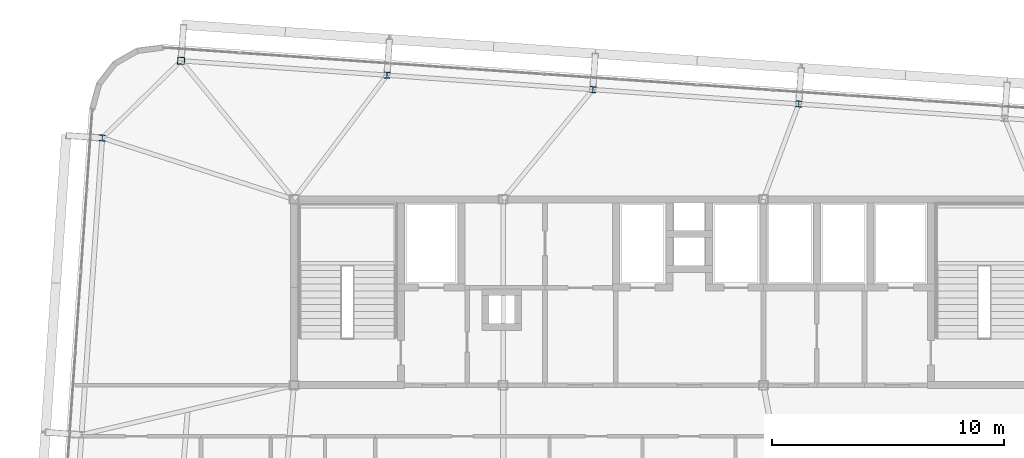
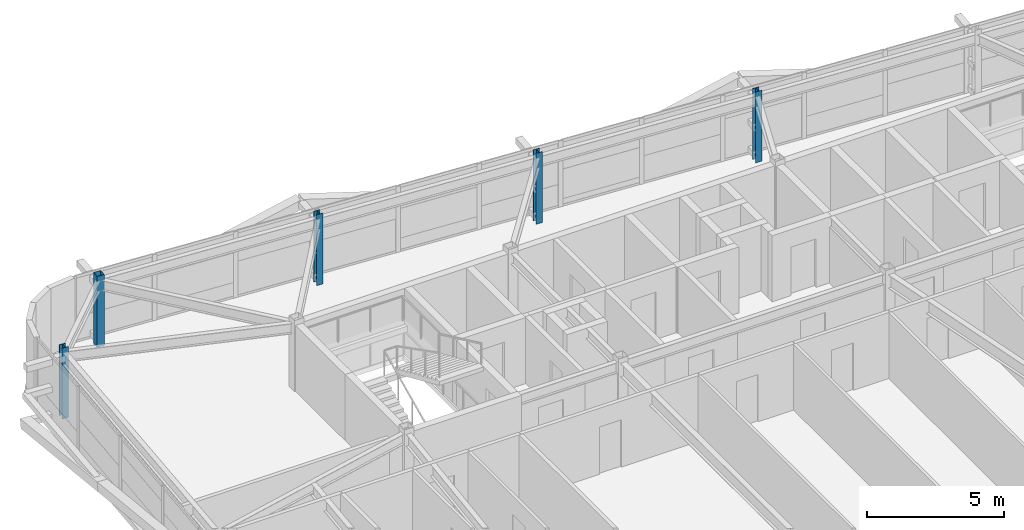
# One storey, part 4 of 47: 5 columns.
"""IFC4 building model written with IfcOpenShell, lengths in metres."""

from ifc_helpers import new_model, si_unit, direction, frame, origin, origin_2d, place, context, subcontext, project, spatial, hollow_rectangle, i_section, extrude, source, transform, mapped, material, material_profile, profile_set, type_object, element, save


model = new_model("IFC4")

# Units and contexts
model_context = context("Model", 3, precision=1e-05, world=origin(), true_north=direction((0.0, 1.0)))
body_context = subcontext(model_context, "Body", "Model", "MODEL_VIEW")
ifc_project = project(units=[si_unit("LENGTHUNIT", "METRE"), si_unit("AREAUNIT", "SQUARE_METRE"), si_unit("VOLUMEUNIT", "CUBIC_METRE"), si_unit("PLANEANGLEUNIT", "RADIAN"), si_unit("MASSUNIT", "GRAM", prefix="KILO")], contexts=[model_context])

# Site, building, storey
site_placement = place(None, origin())
site = spatial("IfcSite", under=ifc_project, at=site_placement, CompositionType="ELEMENT")
building_placement = place(site_placement, origin())
building = spatial("IfcBuilding", under=site, at=building_placement, Name="Taldren Reach Tower", CompositionType="ELEMENT")
storey_placement = place(building_placement, frame((0.0, 0.0, 139.300048828125)))
storey = spatial("IfcBuildingStorey", under=building, at=storey_placement, Name="L42", CompositionType="ELEMENT", Elevation=139.300048828125)

# Columns
ifc_material_1 = material(Name="Steel Gr 450 (C450L0)", Category="steel")
ifc_material_profile_1 = material_profile(ifc_material_1, hollow_rectangle(XDim=0.300048828125, YDim=0.300048828125, WallThickness=0.012451171875, at=origin_2d()), Name="300x300x12.5SHS")
ifc_profile_set_1 = profile_set([ifc_material_profile_1], Name="Steel Gr 450 (C450L0)")
column_type_1 = type_object("IfcColumnType", Name="COL-SHS300", PredefinedType="COLUMN", material=ifc_profile_set_1)
shared_shape_1 = source(origin(), body_context, "Body", "SweptSolid", [
    extrude(hollow_rectangle(XDim=0.300048828125, YDim=0.300048828125, WallThickness=0.012451171875, at=origin_2d()), origin(), (0.0, 0.0, 1.0), 3.14990234375),
])
column_placement = place(storey_placement, frame((14.14453125, 37.958740234375, 0.0), z_axis=(0.0, 0.0, 1.0), x_axis=(0.99756405026, -0.069756473744, 0.0)))
element("IfcColumn", 1, at=column_placement, inside=storey, type_object=column_type_1, Name="Block B3 perimeter column N1 L42", PredefinedType="COLUMN", context=body_context, shape_type="MappedRepresentation", body=[
    mapped(shared_shape_1, transform((0.0, 0.0, 0.0), scale=1.0)),
])
ifc_material_2 = material(Name="Steel Gr 350 (350PLUS)", Category="steel")
ifc_material_profile_2 = material_profile(ifc_material_2, i_section(OverallWidth=0.256103515625, OverallDepth=0.260009765625, WebThickness=0.010498046875, FlangeThickness=0.017333984375, at=origin_2d()), Name="250UC89.5")
ifc_profile_set_2 = profile_set([ifc_material_profile_2], Name="Steel Gr 350 (350PLUS)")
column_type_2 = type_object("IfcColumnType", Name="COL-UC250", PredefinedType="COLUMN", material=ifc_profile_set_2)
shared_shape_2 = source(origin(), body_context, "Body", "SweptSolid", [
    extrude(i_section(OverallWidth=0.256103515625, OverallDepth=0.260009765625, WebThickness=0.010498046875, FlangeThickness=0.017333984375, at=origin_2d()), origin(), (0.0, 0.0, 1.0), 3.14990234375),
])
for number, where, z_axis, x_axis, name in (
    (2, (23.0029296875, 37.33935546875, 0.0), (0.0, 0.0, 1.0), (0.99756405026, -0.069756473744, 0.0), "Block B3 perimeter column N2 L42"),
    (3, (31.861328125, 36.719970703125, 0.0), (0.0, 0.0, 1.0), (0.99756405026, -0.069756473744, 0.0), "Block B3 perimeter column N3 L42"),
    (4, (40.7197265625, 36.100341796875, 0.0), (0.0, 0.0, 1.0), (0.99756405026, -0.069756473744, 0.0), "Block B3 perimeter column N4 L42"),
    (5, (10.754638671875, 34.63720703125, 0.0), (0.0, 0.0, 1.0), (0.99756405026, -0.069756473744, 0.0), "Block B3 perimeter column W3 L42"),
):
    element("IfcColumn", number, at=place(storey_placement, frame(where, z_axis=z_axis, x_axis=x_axis)), inside=storey, type_object=column_type_2, Name=name, PredefinedType="COLUMN", context=body_context, shape_type="MappedRepresentation", body=[
        mapped(shared_shape_2, transform((0.0, 0.0, 0.0), scale=1.0)),
    ])

save(model, "model.ifc")
